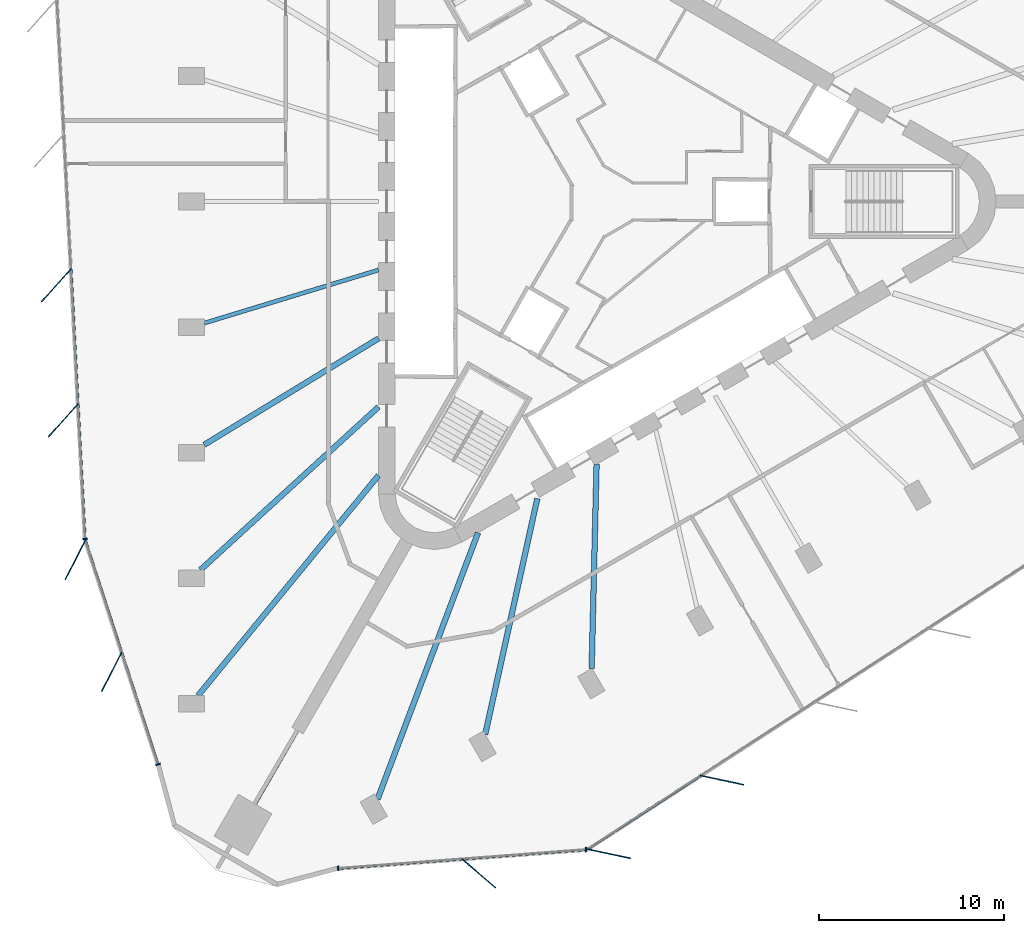
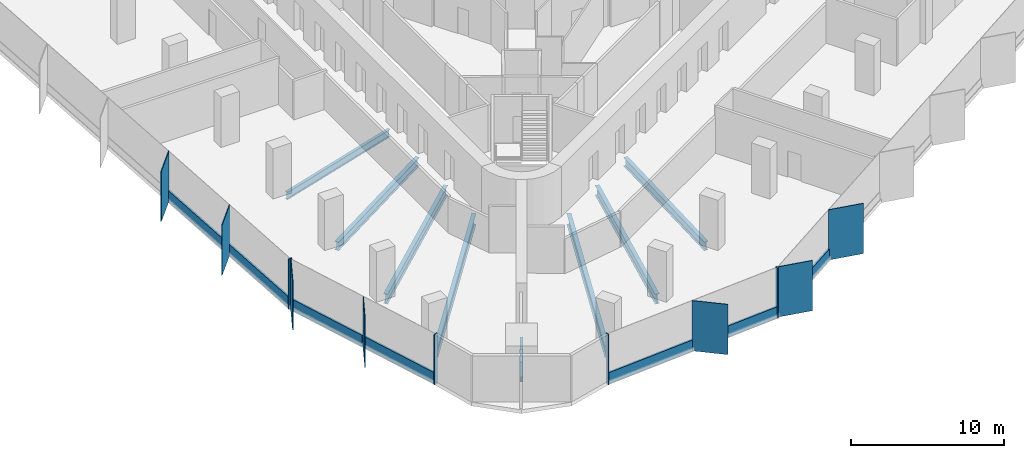
# One storey, part 2 of 14: 18 members, 8 beams, 4 elements without a shape of their own.
"""IFC4 building model written with IfcOpenShell, lengths in metres."""

from ifc_helpers import new_model, si_unit, direction, frame, origin, origin_2d, place, context, subcontext, project, spatial, rectangle, i_section, extrude, material, material_profile, profile_set, type_object, element, aggregate, save


model = new_model("IFC4")

# Units and contexts
model_context = context("Model", 3, precision=1e-05, world=origin(), true_north=direction((0.0, 1.0)))
body_context = subcontext(model_context, "Body", "Model", "MODEL_VIEW")
ifc_project = project(units=[si_unit("LENGTHUNIT", "METRE"), si_unit("AREAUNIT", "SQUARE_METRE"), si_unit("VOLUMEUNIT", "CUBIC_METRE"), si_unit("PLANEANGLEUNIT", "RADIAN"), si_unit("MASSUNIT", "GRAM", prefix="KILO")], contexts=[model_context])

# Site, building, storey
site_placement = place(None, origin())
site = spatial("IfcSite", under=ifc_project, at=site_placement, CompositionType="ELEMENT")
building_placement = place(site_placement, origin())
building = spatial("IfcBuilding", under=site, at=building_placement, Name="Tanit Gate Tower", CompositionType="ELEMENT")
storey_placement = place(building_placement, frame((0.0, 0.0, 213.199951171875)))
storey = spatial("IfcBuildingStorey", under=building, at=storey_placement, Name="L47", CompositionType="ELEMENT", Elevation=213.199951171875)

# Curtain wall, members
ifc_material_1 = material(Name="Aluminium bronze anodised and glass", Category="aluminium")
curtain_wall_type = type_object("IfcCurtainWallType", Name="Curtain wall typical mid", PredefinedType="NOTDEFINED", material=ifc_material_1)
curtain_wall_1_placement = place(storey_placement, origin())
curtain_wall_1 = element("IfcCurtainWall", 1, at=curtain_wall_1_placement, inside=storey, type_object=curtain_wall_type, Name="Curtain wall L47 W2", PredefinedType="NOTDEFINED")
ifc_material_2 = material(Name="Aluminium bronze anodised", Category="aluminium")
ifc_material_profile_1 = material_profile(ifc_material_2, rectangle(XDim=2.39990234375, YDim=0.055908203125, at=origin_2d()), Name="56x2400 bronze fin mullion")
ifc_profile_set_1 = profile_set([ifc_material_profile_1], Name="Aluminium bronze anodised")
member_type_1 = type_object("IfcMemberType", Name="FIN MULLION 56x2400 bronze", PredefinedType="MULLION", material=ifc_profile_set_1)
member_1_placement = place(storey_placement, frame((-29.47216796875, -4.514892578125, -0.300048828125), z_axis=(0.0, 0.0, 1.0), x_axis=(0.669378375715, 0.742921658135, 0.0)))
member_1 = element("IfcMember", 2, at=member_1_placement, type_object=member_type_1, Name="Fin mullion L47 W2.4", PredefinedType="MULLION", context=body_context, shape_type="SweptSolid", body=[
    extrude(rectangle(XDim=2.39990234375, YDim=0.055908203125, at=origin_2d()), origin(), (0.0, 0.0, 1.0), 4.0),
])
member_2_placement = place(storey_placement, frame((-29.09326171875, -11.791015625, -0.300048828125), z_axis=(0.0, 0.0, 1.0), x_axis=(0.669378375715, 0.742921658135, 0.0)))
member_2 = element("IfcMember", 3, at=member_2_placement, type_object=member_type_1, Name="Fin mullion L47 W2.5", PredefinedType="MULLION", context=body_context, shape_type="SweptSolid", body=[
    extrude(rectangle(XDim=2.39990234375, YDim=0.055908203125, at=origin_2d()), origin(), (0.0, 0.0, 1.0), 4.0),
])

curtain_wall_2_placement = place(storey_placement, origin())
curtain_wall_2 = element("IfcCurtainWall", 4, at=curtain_wall_2_placement, inside=storey, type_object=curtain_wall_type, Name="Curtain wall L47 W3", PredefinedType="NOTDEFINED")
member_3_placement = place(storey_placement, frame((-28.44677734375, -19.319091796875, -0.300048828125), z_axis=(0.0, 0.0, 1.0), x_axis=(0.454550571501, 0.890720931576, 0.0)))
member_3 = element("IfcMember", 5, at=member_3_placement, type_object=member_type_1, Name="Fin mullion L47 W3.1", PredefinedType="MULLION", context=body_context, shape_type="SweptSolid", body=[
    extrude(rectangle(XDim=2.39990234375, YDim=0.055908203125, at=origin_2d()), origin(), (0.0, 0.0, 1.0), 4.0),
])
member_4_placement = place(storey_placement, frame((-26.488525390625, -25.359375, -0.300048828125), z_axis=(0.0, 0.0, 1.0), x_axis=(0.454550571501, 0.890720931576, 0.0)))
member_4 = element("IfcMember", 6, at=member_4_placement, type_object=member_type_1, Name="Fin mullion L47 W3.2", PredefinedType="MULLION", context=body_context, shape_type="SweptSolid", body=[
    extrude(rectangle(XDim=2.39990234375, YDim=0.055908203125, at=origin_2d()), origin(), (0.0, 0.0, 1.0), 4.0),
])

# Curtain wall, member
curtain_wall_3_placement = place(storey_placement, origin())
curtain_wall_3 = element("IfcCurtainWall", 7, at=curtain_wall_3_placement, inside=storey, type_object=curtain_wall_type, Name="Curtain wall L47 SE1", PredefinedType="NOTDEFINED")
member_5_placement = place(storey_placement, frame((-6.70263671875, -36.218994140625, -0.300048828125), z_axis=(0.0, 0.0, 1.0), x_axis=(-0.758569780535, 0.651591810921, 0.0)))
member_5 = element("IfcMember", 8, at=member_5_placement, type_object=member_type_1, Name="Fin mullion L47 SE1.2", PredefinedType="MULLION", context=body_context, shape_type="SweptSolid", body=[
    extrude(rectangle(XDim=2.39990234375, YDim=0.055908203125, at=origin_2d()), origin(), (0.0, 0.0, 1.0), 4.0),
])

# Curtain wall, members
curtain_wall_4_placement = place(storey_placement, origin())
curtain_wall_4 = element("IfcCurtainWall", 9, at=curtain_wall_4_placement, inside=storey, type_object=curtain_wall_type, Name="Curtain wall L47 SE2", PredefinedType="NOTDEFINED")
member_6_placement = place(storey_placement, frame((0.310791015625, -35.16455078125, -0.300048828125), z_axis=(0.0, 0.0, 1.0), x_axis=(-0.978078216824, 0.208237849046, 0.0)))
member_6 = element("IfcMember", 10, at=member_6_placement, type_object=member_type_1, Name="Fin mullion L47 SE2.1", PredefinedType="MULLION", context=body_context, shape_type="SweptSolid", body=[
    extrude(rectangle(XDim=2.39990234375, YDim=0.055908203125, at=origin_2d()), origin(), (0.0, 0.0, 1.0), 4.0),
])
member_7_placement = place(storey_placement, frame((6.422607421875, -31.198486328125, -0.300048828125), z_axis=(0.0, 0.0, 1.0), x_axis=(-0.978078216824, 0.208237849046, 0.0)))
member_7 = element("IfcMember", 11, at=member_7_placement, type_object=member_type_1, Name="Fin mullion L47 SE2.2", PredefinedType="MULLION", context=body_context, shape_type="SweptSolid", body=[
    extrude(rectangle(XDim=2.39990234375, YDim=0.055908203125, at=origin_2d()), origin(), (0.0, 0.0, 1.0), 4.0),
])

# Member
ifc_material_3 = material(Name="Aluminium bronze anodised", Category="aluminium")
ifc_material_profile_2 = material_profile(ifc_material_3, rectangle(XDim=0.260009765625, YDim=0.080078125, at=origin_2d()), Name="80x260 bronze mullion")
ifc_profile_set_2 = profile_set([ifc_material_profile_2], Name="Aluminium bronze anodised")
member_type_2 = type_object("IfcMemberType", Name="Mullion 80x260 typical mid", PredefinedType="MULLION", material=ifc_profile_set_2)
member_8_placement = place(storey_placement, frame((-27.925537109375, -18.191162109375, -0.300048828125), z_axis=(0.0, 0.0, 1.0), x_axis=(0.998646931005, 0.05200295371, 0.0)))
member_8 = element("IfcMember", 12, at=member_8_placement, type_object=member_type_2, Name="Mullion L47 W2.6", PredefinedType="MULLION", context=body_context, shape_type="SweptSolid", body=[
    extrude(rectangle(XDim=0.260009765625, YDim=0.080078125, at=origin_2d()), origin(), (0.0, 0.0, 1.0), 4.0),
])

member_9_placement = place(storey_placement, frame((-23.994140625, -30.349853515625, -0.300048828125), z_axis=(0.0, 0.0, 1.0), x_axis=(0.951250602363, 0.308419019362, 0.0)))
member_9 = element("IfcMember", 13, at=member_9_placement, type_object=member_type_2, Name="Mullion L47 W3.3", PredefinedType="MULLION", context=body_context, shape_type="SweptSolid", body=[
    extrude(rectangle(XDim=0.260009765625, YDim=0.080078125, at=origin_2d()), origin(), (0.0, 0.0, 1.0), 4.0),
])

member_10_placement = place(storey_placement, frame((-14.278076171875, -35.957763671875, -0.300048828125), z_axis=(0.0, 0.0, 1.0), x_axis=(-0.075644847752, 0.997134823887, 0.0)))
member_10 = element("IfcMember", 14, at=member_10_placement, type_object=member_type_2, Name="Mullion L47 SE1.1", PredefinedType="MULLION", context=body_context, shape_type="SweptSolid", body=[
    extrude(rectangle(XDim=0.260009765625, YDim=0.080078125, at=origin_2d()), origin(), (0.0, 0.0, 1.0), 4.0),
])

member_11_placement = place(storey_placement, frame((-0.91552734375, -34.94384765625, -0.300048828125), z_axis=(0.0, 0.0, 1.0), x_axis=(-0.075644847752, 0.997134823887, 0.0)))
member_11 = element("IfcMember", 15, at=member_11_placement, type_object=member_type_2, Name="Mullion L47 SE1.3", PredefinedType="MULLION", context=body_context, shape_type="SweptSolid", body=[
    extrude(rectangle(XDim=0.260009765625, YDim=0.080078125, at=origin_2d()), origin(), (0.0, 0.0, 1.0), 4.0),
])

# Beams
ifc_material_4 = material(Name="Steel S355", Category="steel")
ifc_material_profile_3 = material_profile(ifc_material_4, i_section(OverallWidth=0.300048828125, OverallDepth=0.68994140625, WebThickness=0.014404296875, FlangeThickness=0.027099609375, FilletRadius=0.027099609375, at=origin_2d()), Name="HEA 700")
ifc_profile_set_3 = profile_set([ifc_material_profile_3], Name="Steel S355")
beam_type_1 = type_object("IfcBeamType", Name="RADIAL GIRDER HEA 700 S355", PredefinedType="BEAM", material=ifc_profile_set_3)
for number, where, z_axis, x_axis, name in (
    (16, (-21.4970703125, -13.114990234375, -0.64501953125), (0.853674218832, 0.520807380997, 0.0), (-0.520807380997, 0.853674218832, 0.0), "RADIAL GIRDER"),
    (17, (-0.609375, -25.17431640625, -0.64501953125), (0.024202383749, 0.999707079409, 0.0), (-0.999707079409, 0.024202383749, 0.0), "RADIAL GIRDER"),
):
    element("IfcBeam", number, at=place(storey_placement, frame(where, z_axis=z_axis, x_axis=x_axis)), inside=storey, type_object=beam_type_1, Name=name, PredefinedType="BEAM", context=body_context, shape_type="SweptSolid", body=[
        extrude(i_section(OverallWidth=0.300048828125, OverallDepth=0.68994140625, WebThickness=0.014404296875, FlangeThickness=0.027099609375, FilletRadius=0.027099609375, at=origin_2d()), origin(), (0.0, 0.0, 1.0), 11.00537109375),
    ])
ifc_material_5 = material(Name="Steel S355", Category="steel")
ifc_material_profile_4 = material_profile(ifc_material_5, i_section(OverallWidth=0.300048828125, OverallDepth=0.7900390625, WebThickness=0.014892578125, FlangeThickness=0.028076171875, FilletRadius=0.030029296875, at=origin_2d()), Name="HEA 800")
ifc_profile_set_4 = profile_set([ifc_material_profile_4], Name="Steel S355")
beam_type_2 = type_object("IfcBeamType", Name="RADIAL GIRDER HEA 800 S355", PredefinedType="BEAM", material=ifc_profile_set_4)
for number, where, z_axis, x_axis, name in (
    (18, (-21.705322265625, -19.86279296875, -0.695068359375), (0.737724522126, 0.675101865983, 0.0), (-0.675101865983, 0.737724522126, 0.0), "RADIAL GIRDER"),
    (19, (-6.349365234375, -28.728759765625, -0.695068359375), (0.21581230457, 0.976434866848, 0.0), (-0.976434866848, 0.21581230457, 0.0), "RADIAL GIRDER"),
):
    element("IfcBeam", number, at=place(storey_placement, frame(where, z_axis=z_axis, x_axis=x_axis)), inside=storey, type_object=beam_type_2, Name=name, PredefinedType="BEAM", context=body_context, shape_type="SweptSolid", body=[
        extrude(i_section(OverallWidth=0.300048828125, OverallDepth=0.7900390625, WebThickness=0.014892578125, FlangeThickness=0.028076171875, FilletRadius=0.030029296875, at=origin_2d()), origin(), (0.0, 0.0, 1.0), 13.017333984375),
    ])
ifc_material_6 = material(Name="Steel S355", Category="steel")
ifc_material_profile_5 = material_profile(ifc_material_6, i_section(OverallWidth=0.300048828125, OverallDepth=0.889892578125, WebThickness=0.01611328125, FlangeThickness=0.030029296875, FilletRadius=0.030029296875, at=origin_2d()), Name="HEA 900")
ifc_profile_set_5 = profile_set([ifc_material_profile_5], Name="Steel S355")
beam_type_3 = type_object("IfcBeamType", Name="RADIAL GIRDER HEA 900 S355", PredefinedType="BEAM", material=ifc_profile_set_5)
beam_1_placement = place(storey_placement, frame((-21.828125, -26.6337890625, -0.744873046875), z_axis=(0.633876155271, 0.77343456076, 0.0), x_axis=(-0.77343456076, 0.633876155271, 0.0)))
element("IfcBeam", 20, at=beam_1_placement, inside=storey, type_object=beam_type_3, Name="RADIAL GIRDER", PredefinedType="BEAM", context=body_context, shape_type="SweptSolid", body=[
    extrude(i_section(OverallWidth=0.300048828125, OverallDepth=0.889892578125, WebThickness=0.01611328125, FlangeThickness=0.030029296875, FilletRadius=0.030029296875, at=origin_2d()), origin(), (0.0, 0.0, 1.0), 15.34375),
])
beam_2_placement = place(storey_placement, frame((-12.151611328125, -32.220703125, -0.744873046875), z_axis=(0.352876972664, 0.935669729212, 0.0), x_axis=(-0.935669729212, 0.352876972664, 0.0)))
element("IfcBeam", 21, at=beam_2_placement, inside=storey, type_object=beam_type_3, Name="RADIAL GIRDER", PredefinedType="BEAM", context=body_context, shape_type="SweptSolid", body=[
    extrude(i_section(OverallWidth=0.300048828125, OverallDepth=0.889892578125, WebThickness=0.01611328125, FlangeThickness=0.030029296875, FilletRadius=0.030029296875, at=origin_2d()), origin(), (0.0, 0.0, 1.0), 15.343994140625),
])
ifc_material_7 = material(Name="Steel S355", Category="steel")
ifc_material_profile_6 = material_profile(ifc_material_7, i_section(OverallWidth=0.179931640625, OverallDepth=0.39990234375, WebThickness=0.008544921875, FlangeThickness=0.013427734375, FilletRadius=0.02099609375, at=origin_2d()), Name="IPE 400")
ifc_profile_set_6 = profile_set([ifc_material_profile_6], Name="Steel S355")
beam_type_4 = type_object("IfcBeamType", Name="RADIAL GIRDER IPE 400 S355", PredefinedType="BEAM", material=ifc_profile_set_6)
beam_3_placement = place(storey_placement, frame((-18.755615234375, -32.485595703125, -0.5), z_axis=(0.500013963156, 0.866017342002, 0.0), x_axis=(-0.866017342002, 0.500013963156, 0.0)))
element("IfcBeam", 22, at=beam_3_placement, inside=storey, type_object=beam_type_4, Name="RADIAL GIRDER", PredefinedType="BEAM", context=body_context, shape_type="SweptSolid", body=[
    extrude(i_section(OverallWidth=0.179931640625, OverallDepth=0.39990234375, WebThickness=0.008544921875, FlangeThickness=0.013427734375, FilletRadius=0.02099609375, at=origin_2d()), origin(), (0.0, 0.0, 1.0), 4.567138671875),
])
ifc_material_8 = material(Name="Steel S355", Category="steel")
ifc_material_profile_7 = material_profile(ifc_material_8, i_section(OverallWidth=0.219970703125, OverallDepth=0.60009765625, WebThickness=0.011962890625, FlangeThickness=0.01904296875, FilletRadius=0.02392578125, at=origin_2d()), Name="IPE 600")
ifc_profile_set_7 = profile_set([ifc_material_profile_7], Name="Steel S355")
beam_type_5 = type_object("IfcBeamType", Name="RADIAL GIRDER IPE 600 S355", PredefinedType="BEAM", material=ifc_profile_set_7)
beam_4_placement = place(storey_placement, frame((-21.4970703125, -6.5576171875, -0.599853515625), z_axis=(0.956486148302, 0.291777737511, 0.0), x_axis=(-0.291777737511, 0.956486148302, 0.0)))
element("IfcBeam", 23, at=beam_4_placement, inside=storey, type_object=beam_type_5, Name="RADIAL GIRDER", PredefinedType="BEAM", context=body_context, shape_type="SweptSolid", body=[
    extrude(i_section(OverallWidth=0.219970703125, OverallDepth=0.60009765625, WebThickness=0.011962890625, FlangeThickness=0.01904296875, FilletRadius=0.02392578125, at=origin_2d()), origin(), (0.0, 0.0, 1.0), 9.822509765625),
])

# Member
ifc_material_9 = material(Name="Aluminium bronze anodised", Category="aluminium")
ifc_material_profile_8 = material_profile(ifc_material_9, rectangle(XDim=0.139892578125, YDim=0.89990234375, at=origin_2d()), Name="140x900 bronze transom")
ifc_profile_set_8 = profile_set([ifc_material_profile_8], Name="Aluminium bronze anodised")
member_type_3 = type_object("IfcMemberType", Name="Transom 140x900 typical mid", PredefinedType="USERDEFINED", material=ifc_profile_set_8)
member_12_placement = place(storey_placement, frame((-28.68115234375, -3.67919921875, 0.150146484375), z_axis=(0.052007554582, -0.998646691411, 0.0), x_axis=(0.998646691411, 0.052007554582, 0.0)))
member_12 = element("IfcMember", 24, at=member_12_placement, type_object=member_type_3, Name="Transom L47 W2.4", ObjectType="TRANSOM", PredefinedType="USERDEFINED", context=body_context, shape_type="SweptSolid", body=[
    extrude(rectangle(XDim=0.139892578125, YDim=0.89990234375, at=origin_2d()), origin(), (0.0, 0.0, 1.0), 7.205810546875),
])

member_13_placement = place(storey_placement, frame((-28.30224609375, -10.955078125, 0.150146484375), z_axis=(0.052005794951, -0.998646783048, 0.0), x_axis=(0.998646783048, 0.052005794951, 0.0)))
member_13 = element("IfcMember", 25, at=member_13_placement, type_object=member_type_3, Name="Transom L47 W2.5", ObjectType="TRANSOM", PredefinedType="USERDEFINED", context=body_context, shape_type="SweptSolid", body=[
    extrude(rectangle(XDim=0.139892578125, YDim=0.89990234375, at=origin_2d()), origin(), (0.0, 0.0, 1.0), 7.2060546875),
])

aggregate(curtain_wall_1, [member_1, member_2, member_8, member_12, member_13])

member_14_placement = place(storey_placement, frame((-27.898681640625, -18.30712890625, 0.150146484375), z_axis=(0.308437087758, -0.951244743952, 0.0), x_axis=(0.951244743952, 0.308437087758, 0.0)))
member_14 = element("IfcMember", 26, at=member_14_placement, type_object=member_type_3, Name="Transom L47 W3.1", ObjectType="TRANSOM", PredefinedType="USERDEFINED", context=body_context, shape_type="SweptSolid", body=[
    extrude(rectangle(XDim=0.139892578125, YDim=0.89990234375, at=origin_2d()), origin(), (0.0, 0.0, 1.0), 6.269775390625),
])

member_15_placement = place(storey_placement, frame((-25.940185546875, -24.347412109375, 0.150146484375), z_axis=(0.308390429094, -0.951259871562, 0.0), x_axis=(0.951259871562, 0.308390429094, 0.0)))
member_15 = element("IfcMember", 27, at=member_15_placement, type_object=member_type_3, Name="Transom L47 W3.2", ObjectType="TRANSOM", PredefinedType="USERDEFINED", context=body_context, shape_type="SweptSolid", body=[
    extrude(rectangle(XDim=0.139892578125, YDim=0.89990234375, at=origin_2d()), origin(), (0.0, 0.0, 1.0), 6.27001953125),
])

aggregate(curtain_wall_2, [member_3, member_4, member_9, member_14, member_15])

member_16_placement = place(storey_placement, frame((-14.238037109375, -35.95458984375, 0.150146484375), z_axis=(0.997135486421, 0.07563611386, 0.0), x_axis=(-0.07563611386, 0.997135486421, 0.0)))
member_16 = element("IfcMember", 28, at=member_16_placement, type_object=member_type_3, Name="Transom L47 SE1.1", ObjectType="TRANSOM", PredefinedType="USERDEFINED", context=body_context, shape_type="SweptSolid", body=[
    extrude(rectangle(XDim=0.139892578125, YDim=0.89990234375, at=origin_2d()), origin(), (0.0, 0.0, 1.0), 6.620361328125),
])

member_17_placement = place(storey_placement, frame((-7.556884765625, -35.44775390625, 0.150146484375), z_axis=(0.99713569738, 0.075633332667, 0.0), x_axis=(-0.075633332667, 0.99713569738, 0.0)))
member_17 = element("IfcMember", 29, at=member_17_placement, type_object=member_type_3, Name="Transom L47 SE1.2", ObjectType="TRANSOM", PredefinedType="USERDEFINED", context=body_context, shape_type="SweptSolid", body=[
    extrude(rectangle(XDim=0.139892578125, YDim=0.89990234375, at=origin_2d()), origin(), (0.0, 0.0, 1.0), 6.62060546875),
])

aggregate(curtain_wall_3, [member_10, member_5, member_11, member_16, member_17])

member_18_placement = place(storey_placement, frame((-0.80859375, -34.8974609375, 0.150146484375), z_axis=(0.83885131888, 0.544360601819, 0.0), x_axis=(-0.544360601819, 0.83885131888, 0.0)))
member_18 = element("IfcMember", 30, at=member_18_placement, type_object=member_type_3, Name="Transom L47 SE2.1", ObjectType="TRANSOM", PredefinedType="USERDEFINED", context=body_context, shape_type="SweptSolid", body=[
    extrude(rectangle(XDim=0.139892578125, YDim=0.89990234375, at=origin_2d()), origin(), (0.0, 0.0, 1.0), 7.205810546875),
])

aggregate(curtain_wall_4, [member_6, member_7, member_18])

save(model, "model.ifc")
